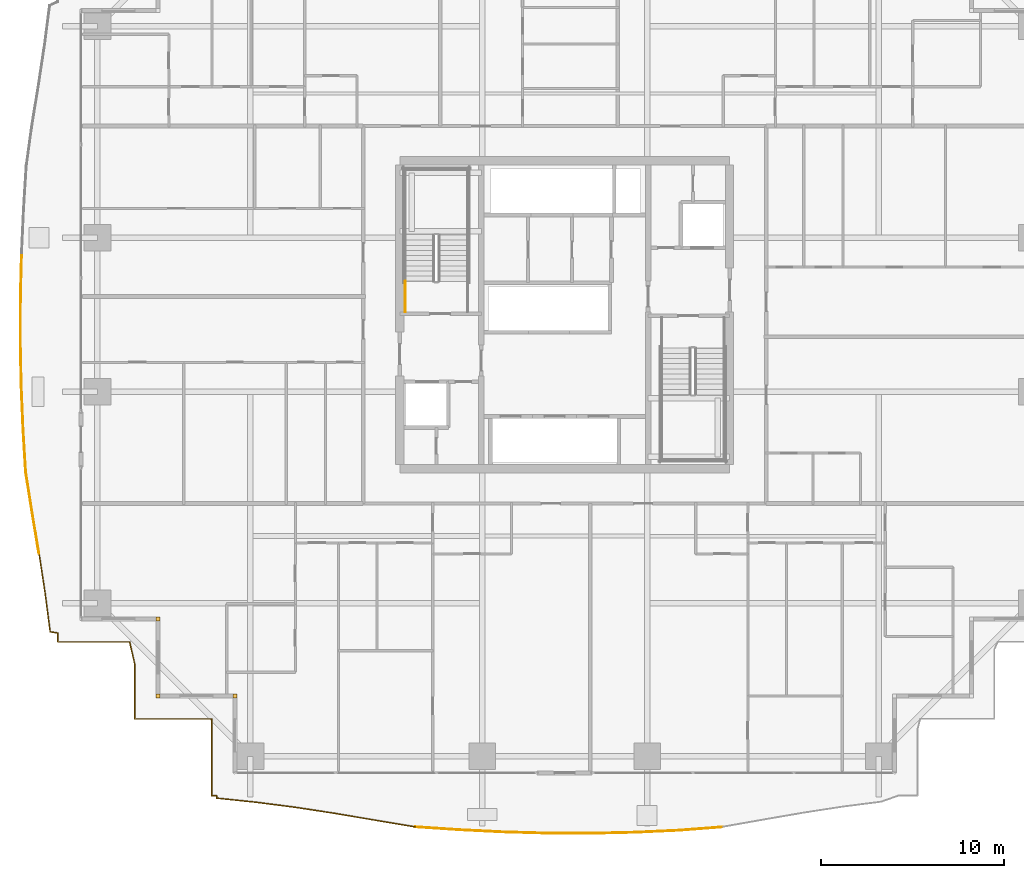
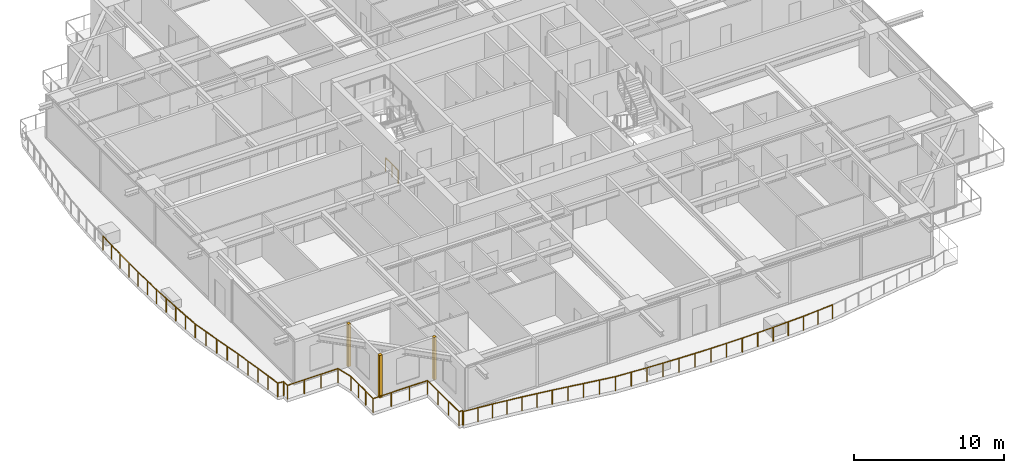
# One storey, part 33 of 39: 5 railings, 3 coverings.
"""IFC4 building model written with IfcOpenShell, lengths in metres."""

from ifc_helpers import new_model, si_unit, direction, frame, origin, origin_2d, place, context, subcontext, project, spatial, rectangle, circle, extrude, source, transform, mapped, material, layer, layer_set, type_object, element, save


model = new_model("IFC4")

# Units and contexts
model_context = context("Model", 3, precision=1e-05, world=origin(), true_north=direction((0.0, 1.0)))
body_context = subcontext(model_context, "Body", "Model", "MODEL_VIEW")
ifc_project = project(units=[si_unit("LENGTHUNIT", "METRE"), si_unit("AREAUNIT", "SQUARE_METRE"), si_unit("VOLUMEUNIT", "CUBIC_METRE"), si_unit("PLANEANGLEUNIT", "RADIAN"), si_unit("MASSUNIT", "GRAM", prefix="KILO")], contexts=[model_context])

# Site, building, storey
site_placement = place(None, origin())
site = spatial("IfcSite", under=ifc_project, at=site_placement, CompositionType="ELEMENT")
building_placement = place(site_placement, origin())
building = spatial("IfcBuilding", under=site, at=building_placement, Name="Serunith Strait Residences", CompositionType="ELEMENT")
storey_placement = place(building_placement, frame((0.0, 0.0, 60.449951171875)))
storey = spatial("IfcBuildingStorey", under=building, at=storey_placement, Name="L14", CompositionType="ELEMENT", Elevation=60.449951171875)

# Railings
ifc_material_1 = material(Name="Stainless Steel & Laminated Glass Balustrade", Category="steel")
railing_type_1 = type_object("IfcRailingType", Name="RLG-BALC-1150", PredefinedType="BALUSTRADE", material=ifc_material_1)
railing_1_placement = place(storey_placement, frame((13.139892578125, 3.139892578125, -0.050048828125)))
element("IfcRailing", 1, at=railing_1_placement, inside=storey, type_object=railing_type_1, Name="L14 Swirling Balcony Perimeter Balustrade 1", PredefinedType="BALUSTRADE", context=body_context, shape_type="SweptSolid", body=[
    extrude(circle(Radius=0.02392578125, at=origin_2d()), frame((-0.001953125, 0.0, 1.1259765625), z_axis=(-1.0, 0.0, 0.0), x_axis=(0.0, -1.0, 0.0)), (0.0, 0.0, 1.0), 4.196044921875),
    extrude(circle(Radius=0.02392578125, at=origin_2d()), frame((-4.199951171875, 0.001953125, 1.1259765625), z_axis=(0.0, 1.0, 0.0), x_axis=(-1.0, 0.0, 0.0)), (0.0, 0.0, 1.0), 2.9580078125),
    extrude(circle(Radius=0.02392578125, at=origin_2d()), frame((-4.200439453125, 2.9638671875, 1.1259765625), z_axis=(-0.225322441592, 0.974284248726, 0.0), x_axis=(-0.974284248726, -0.225322441592, 0.0)), (0.0, 0.0, 1.0), 1.266845703125),
    extrude(circle(Radius=0.02392578125, at=origin_2d()), frame((-4.48828125, 4.2001953125, 1.1259765625), z_axis=(-1.0, 0.0, 0.0), x_axis=(0.0, -1.0, 0.0)), (0.0, 0.0, 1.0), 3.90966796875),
    extrude(circle(Radius=0.02392578125, at=origin_2d()), frame((-8.39990234375, 4.2021484375, 1.1259765625), z_axis=(0.0, 1.0, 0.0), x_axis=(-1.0, 0.0, 0.0)), (0.0, 0.0, 1.0), 0.4833984375),
    extrude(circle(Radius=0.02392578125, at=origin_2d()), frame((-8.40185546875, 4.687744140625, 1.1259765625), z_axis=(-0.987358963346, 0.158500086751, 0.0), x_axis=(-0.158500086751, -0.987358963346, 0.0)), (0.0, 0.0, 1.0), 0.42578125),
    extrude(circle(Radius=0.02392578125, at=origin_2d()), frame((-8.824462890625, 4.757568359375, 1.1259765625), z_axis=(-0.13018979462, 0.991489090902, 0.0), x_axis=(-0.991489090902, -0.13018979462, 0.0)), (0.0, 0.0, 1.0), 2.14306640625),
    extrude(circle(Radius=0.02392578125, at=origin_2d()), frame((-9.10400390625, 6.886474609375, 1.1259765625), z_axis=(-0.150978205524, 0.988537091594, 0.0), x_axis=(-0.988537091594, -0.150978205524, 0.0)), (0.0, 0.0, 1.0), 2.172607421875),
    extrude(circle(Radius=0.02099609375, at=origin_2d()), origin(), (0.0, 0.0, 1.0), 1.099853515625),
    extrude(circle(Radius=0.02099609375, at=origin_2d()), frame((-1.39990234375, 0.0, 0.0)), (0.0, 0.0, 1.0), 1.099853515625),
    extrude(circle(Radius=0.02099609375, at=origin_2d()), frame((-2.800048828125, 0.0, 0.0)), (0.0, 0.0, 1.0), 1.099853515625),
    extrude(circle(Radius=0.02099609375, at=origin_2d()), frame((-4.199951171875, 0.0, 0.0)), (0.0, 0.0, 1.0), 1.099853515625),
    extrude(circle(Radius=0.02099609375, at=origin_2d()), frame((-4.199951171875, 0.9873046875, 0.0)), (0.0, 0.0, 1.0), 1.099853515625),
    extrude(circle(Radius=0.02099609375, at=origin_2d()), frame((-4.199951171875, 1.974609375, 0.0)), (0.0, 0.0, 1.0), 1.099853515625),
    extrude(circle(Radius=0.02099609375, at=origin_2d()), frame((-4.199951171875, 2.9619140625, 0.0)), (0.0, 0.0, 1.0), 1.099853515625),
    extrude(circle(Radius=0.02099609375, at=origin_2d()), frame((-4.486328125, 4.2001953125, 0.0)), (0.0, 0.0, 1.0), 1.099853515625),
    extrude(circle(Radius=0.02099609375, at=origin_2d()), frame((-5.790771484375, 4.2001953125, 0.0)), (0.0, 0.0, 1.0), 1.099853515625),
    extrude(circle(Radius=0.02099609375, at=origin_2d()), frame((-7.095458984375, 4.2001953125, 0.0)), (0.0, 0.0, 1.0), 1.099853515625),
    extrude(circle(Radius=0.02099609375, at=origin_2d()), frame((-8.39990234375, 4.2001953125, 0.0)), (0.0, 0.0, 1.0), 1.099853515625),
    extrude(circle(Radius=0.02099609375, at=origin_2d()), frame((-8.39990234375, 4.6875, 0.0)), (0.0, 0.0, 1.0), 1.099853515625),
    extrude(circle(Radius=0.02099609375, at=origin_2d()), frame((-8.82421875, 4.755615234375, 0.0)), (0.0, 0.0, 1.0), 1.099853515625),
    extrude(circle(Radius=0.02099609375, at=origin_2d()), frame((-8.9638671875, 5.820068359375, 0.0)), (0.0, 0.0, 1.0), 1.099853515625),
    extrude(circle(Radius=0.02099609375, at=origin_2d()), frame((-9.103759765625, 6.884521484375, 0.0)), (0.0, 0.0, 1.0), 1.099853515625),
    extrude(circle(Radius=0.02099609375, at=origin_2d()), frame((-9.26806640625, 7.96044921875, 0.0)), (0.0, 0.0, 1.0), 1.099853515625),
    extrude(circle(Radius=0.02099609375, at=origin_2d()), frame((-9.432373046875, 9.0361328125, 0.0)), (0.0, 0.0, 1.0), 1.099853515625),
])
railing_2_placement = place(storey_placement, frame((3.70751953125, 12.176025390625, -0.050048828125)))
element("IfcRailing", 2, at=railing_2_placement, inside=storey, type_object=railing_type_1, Name="L14 Swirling Balcony Perimeter Balustrade 2", PredefinedType="BALUSTRADE", context=body_context, shape_type="SweptSolid", body=[
    extrude(circle(Radius=0.02392578125, at=origin_2d()), frame((-0.000244140625, 0.001953125, 1.1259765625), z_axis=(-0.164042626851, 0.986453251085, 0.0), x_axis=(-0.986453251085, -0.164042626851, 0.0)), (0.0, 0.0, 1.0), 2.218017578125),
    extrude(circle(Radius=0.02392578125, at=origin_2d()), frame((-0.36474609375, 2.19384765625, 1.1259765625), z_axis=(-0.156913377413, 0.987612369297, 0.0), x_axis=(-0.987612369297, -0.156913377413, 0.0)), (0.0, 0.0, 1.0), 2.27685546875),
    extrude(circle(Radius=0.02392578125, at=origin_2d()), frame((-0.722412109375, 4.446533203125, 1.1259765625), z_axis=(-0.060710520017, 0.998155415133, 0.0), x_axis=(-0.998155415133, -0.060710520017, 0.0)), (0.0, 0.0, 1.0), 2.3564453125),
    extrude(circle(Radius=0.02392578125, at=origin_2d()), frame((-0.86572265625, 6.802734375, 1.1259765625), z_axis=(-0.041728388629, 0.999128991463, 0.0), x_axis=(-0.999128991463, -0.041728388629, 0.0)), (0.0, 0.0, 1.0), 2.383056640625),
    extrude(circle(Radius=0.02392578125, at=origin_2d()), frame((-0.96533203125, 9.187744140625, 1.1259765625), z_axis=(-0.019803124458, 0.999803898903, 0.0), x_axis=(-0.999803898903, -0.019803124458, 0.0)), (0.0, 0.0, 1.0), 2.400146484375),
    extrude(circle(Radius=0.02392578125, at=origin_2d()), frame((-1.012939453125, 11.59130859375, 1.1259765625), z_axis=(0.003242459396, 0.999994743215, 0.0), x_axis=(-0.999994743215, 0.003242459396, 0.0)), (0.0, 0.0, 1.0), 2.405517578125),
    extrude(circle(Radius=0.02392578125, at=origin_2d()), frame((-1.005126953125, 14.000732421875, 1.1259765625), z_axis=(0.025499835509, 0.999674826326, 0.0), x_axis=(-0.999674826326, 0.025499835509, 0.0)), (0.0, 0.0, 1.0), 2.399169921875),
    extrude(circle(Radius=0.02099609375, at=origin_2d()), origin(), (0.0, 0.0, 1.0), 1.099853515625),
    extrude(circle(Radius=0.02099609375, at=origin_2d()), frame((-0.18212890625, 1.095947265625, 0.0)), (0.0, 0.0, 1.0), 1.099853515625),
    extrude(circle(Radius=0.02099609375, at=origin_2d()), frame((-0.364501953125, 2.19189453125, 0.0)), (0.0, 0.0, 1.0), 1.099853515625),
    extrude(circle(Radius=0.02099609375, at=origin_2d()), frame((-0.54345703125, 3.318359375, 0.0)), (0.0, 0.0, 1.0), 1.099853515625),
    extrude(circle(Radius=0.02099609375, at=origin_2d()), frame((-0.722412109375, 4.444580078125, 0.0)), (0.0, 0.0, 1.0), 1.099853515625),
    extrude(circle(Radius=0.02099609375, at=origin_2d()), frame((-0.7939453125, 5.62255859375, 0.0)), (0.0, 0.0, 1.0), 1.099853515625),
    extrude(circle(Radius=0.02099609375, at=origin_2d()), frame((-0.86572265625, 6.80078125, 0.0)), (0.0, 0.0, 1.0), 1.099853515625),
    extrude(circle(Radius=0.02099609375, at=origin_2d()), frame((-0.91552734375, 7.9931640625, 0.0)), (0.0, 0.0, 1.0), 1.099853515625),
    extrude(circle(Radius=0.02099609375, at=origin_2d()), frame((-0.96533203125, 9.185791015625, 0.0)), (0.0, 0.0, 1.0), 1.099853515625),
    extrude(circle(Radius=0.02099609375, at=origin_2d()), frame((-0.9892578125, 10.3876953125, 0.0)), (0.0, 0.0, 1.0), 1.099853515625),
    extrude(circle(Radius=0.02099609375, at=origin_2d()), frame((-1.012939453125, 11.58935546875, 0.0)), (0.0, 0.0, 1.0), 1.099853515625),
    extrude(circle(Radius=0.02099609375, at=origin_2d()), frame((-1.009033203125, 12.7939453125, 0.0)), (0.0, 0.0, 1.0), 1.099853515625),
    extrude(circle(Radius=0.02099609375, at=origin_2d()), frame((-1.005126953125, 13.998779296875, 0.0)), (0.0, 0.0, 1.0), 1.099853515625),
    extrude(circle(Radius=0.02099609375, at=origin_2d()), frame((-0.974609375, 15.199951171875, 0.0)), (0.0, 0.0, 1.0), 1.099853515625),
    extrude(circle(Radius=0.02099609375, at=origin_2d()), frame((-0.94384765625, 16.401123046875, 0.0)), (0.0, 0.0, 1.0), 1.099853515625),
])
railing_3_placement = place(storey_placement, frame((41.0107421875, -2.757080078125, -0.050048828125)))
element("IfcRailing", 3, at=railing_3_placement, inside=storey, type_object=railing_type_1, Name="L14 Swirling Balcony Perimeter Balustrade 7", PredefinedType="BALUSTRADE", context=body_context, shape_type="SweptSolid", body=[
    extrude(circle(Radius=0.02392578125, at=origin_2d()), frame((-0.001953125, -0.000244140625, 1.1259765625), z_axis=(-0.99700501678, -0.077336902681, 0.0), x_axis=(0.077336902681, -0.99700501678, 0.0)), (0.0, 0.0, 1.0), 2.357421875),
    extrude(circle(Radius=0.02392578125, at=origin_2d()), frame((-2.356201171875, -0.1826171875, 1.1259765625), z_axis=(-0.998926559452, -0.046322012286, 0.0), x_axis=(0.046322012286, -0.998926559452, 0.0)), (0.0, 0.0, 1.0), 2.39404296875),
    extrude(circle(Radius=0.02392578125, at=origin_2d()), frame((-4.751708984375, -0.293701171875, 1.1259765625), z_axis=(-0.999751030301, -0.022313166804, 0.0), x_axis=(0.022313166804, -0.999751030301, 0.0)), (0.0, 0.0, 1.0), 2.4140625),
    extrude(circle(Radius=0.02392578125, at=origin_2d()), frame((-7.169189453125, -0.34765625, 1.1259765625), z_axis=(-0.999994808646, 0.003222216683, 0.0), x_axis=(-0.003222216683, -0.999994808646, 0.0)), (0.0, 0.0, 1.0), 2.420654296875),
    extrude(circle(Radius=0.02392578125, at=origin_2d()), frame((-9.59375, -0.33984375, 1.1259765625), z_axis=(-0.99960839991, 0.027982973904, 0.0), x_axis=(-0.027982973904, -0.99960839991, 0.0)), (0.0, 0.0, 1.0), 2.41259765625),
    extrude(circle(Radius=0.02392578125, at=origin_2d()), frame((-12.009521484375, -0.272216796875, 1.1259765625), z_axis=(-0.998763743688, 0.049708996116, 0.0), x_axis=(-0.049708996116, -0.998763743688, 0.0)), (0.0, 0.0, 1.0), 2.392822265625),
    extrude(circle(Radius=0.02392578125, at=origin_2d()), frame((-14.4033203125, -0.15283203125, 1.1259765625), z_axis=(-0.997743434954, 0.067141924349, 0.0), x_axis=(-0.067141924349, -0.997743434954, 0.0)), (0.0, 0.0, 1.0), 2.363037109375),
    extrude(circle(Radius=0.02099609375, at=origin_2d()), origin(), (0.0, 0.0, 1.0), 1.099853515625),
    extrude(circle(Radius=0.02099609375, at=origin_2d()), frame((-1.17724609375, -0.09130859375, 0.0)), (0.0, 0.0, 1.0), 1.099853515625),
    extrude(circle(Radius=0.02099609375, at=origin_2d()), frame((-2.354248046875, -0.1826171875, 0.0)), (0.0, 0.0, 1.0), 1.099853515625),
    extrude(circle(Radius=0.02099609375, at=origin_2d()), frame((-3.552001953125, -0.23828125, 0.0)), (0.0, 0.0, 1.0), 1.099853515625),
    extrude(circle(Radius=0.02099609375, at=origin_2d()), frame((-4.749755859375, -0.293701171875, 0.0)), (0.0, 0.0, 1.0), 1.099853515625),
    extrude(circle(Radius=0.02099609375, at=origin_2d()), frame((-5.95849609375, -0.32080078125, 0.0)), (0.0, 0.0, 1.0), 1.099853515625),
    extrude(circle(Radius=0.02099609375, at=origin_2d()), frame((-7.167236328125, -0.34765625, 0.0)), (0.0, 0.0, 1.0), 1.099853515625),
    extrude(circle(Radius=0.02099609375, at=origin_2d()), frame((-8.37939453125, -0.34375, 0.0)), (0.0, 0.0, 1.0), 1.099853515625),
    extrude(circle(Radius=0.02099609375, at=origin_2d()), frame((-9.591796875, -0.33984375, 0.0)), (0.0, 0.0, 1.0), 1.099853515625),
    extrude(circle(Radius=0.02099609375, at=origin_2d()), frame((-10.7998046875, -0.30615234375, 0.0)), (0.0, 0.0, 1.0), 1.099853515625),
    extrude(circle(Radius=0.02099609375, at=origin_2d()), frame((-12.007568359375, -0.272216796875, 0.0)), (0.0, 0.0, 1.0), 1.099853515625),
    extrude(circle(Radius=0.02099609375, at=origin_2d()), frame((-13.20458984375, -0.212646484375, 0.0)), (0.0, 0.0, 1.0), 1.099853515625),
    extrude(circle(Radius=0.02099609375, at=origin_2d()), frame((-14.4013671875, -0.153076171875, 0.0)), (0.0, 0.0, 1.0), 1.099853515625),
    extrude(circle(Radius=0.02099609375, at=origin_2d()), frame((-15.582275390625, -0.07373046875, 0.0)), (0.0, 0.0, 1.0), 1.099853515625),
    extrude(circle(Radius=0.02099609375, at=origin_2d()), frame((-16.76318359375, 0.005859375, 0.0)), (0.0, 0.0, 1.0), 1.099853515625),
])
railing_4_placement = place(storey_placement, frame((24.24755859375, -2.751220703125, -0.050048828125)))
element("IfcRailing", 4, at=railing_4_placement, inside=storey, type_object=railing_type_1, Name="L14 Swirling Balcony Perimeter Balustrade 8", PredefinedType="BALUSTRADE", context=body_context, shape_type="SweptSolid", body=[
    extrude(circle(Radius=0.02392578125, at=origin_2d()), frame((-0.001953125, 0.000244140625, 1.1259765625), z_axis=(-0.986483333556, 0.163861626432, 0.0), x_axis=(-0.163861626432, -0.986483333556, 0.0)), (0.0, 0.0, 1.0), 2.280029296875),
    extrude(circle(Radius=0.02392578125, at=origin_2d()), frame((-2.255126953125, 0.37451171875, 1.1259765625), z_axis=(-0.985875268607, 0.167481207152, 0.0), x_axis=(-0.167481207152, -0.985875268607, 0.0)), (0.0, 0.0, 1.0), 2.217529296875),
    extrude(circle(Radius=0.02392578125, at=origin_2d()), frame((-4.4453125, 0.74658203125, 1.1259765625), z_axis=(-0.988577071856, 0.150716200193, 0.0), x_axis=(-0.150716200193, -0.988577071856, 0.0)), (0.0, 0.0, 1.0), 2.17138671875),
    extrude(circle(Radius=0.02392578125, at=origin_2d()), frame((-6.595947265625, 1.074462890625, 1.1259765625), z_axis=(-0.991854054422, 0.127379490993, 0.0), x_axis=(-0.127379490993, -0.991854054422, 0.0)), (0.0, 0.0, 1.0), 2.142578125),
    extrude(circle(Radius=0.02392578125, at=origin_2d()), frame((-8.72509765625, 1.347900390625, 1.1259765625), z_axis=(-0.994712382559, 0.102699931763, 0.0), x_axis=(-0.102699931763, -0.994712382559, 0.0)), (0.0, 0.0, 1.0), 2.12841796875),
    extrude(circle(Radius=0.02392578125, at=origin_2d()), frame((-10.84423828125, 1.568603515625, 1.1259765625), z_axis=(0.005882251173, 0.999982699411, 0.0), x_axis=(-0.999982699411, 0.005882251173, 0.0)), (0.0, 0.0, 1.0), 0.12060546875),
    extrude(circle(Radius=0.02392578125, at=origin_2d()), frame((-10.845458984375, 1.691162109375, 1.1259765625), z_axis=(-1.0, 0.0, 0.0), x_axis=(0.0, -1.0, 0.0)), (0.0, 0.0, 1.0), 0.26025390625),
    extrude(circle(Radius=0.02392578125, at=origin_2d()), frame((-11.107666015625, 1.693115234375, 1.1259765625), z_axis=(0.0, 1.0, 0.0), x_axis=(-1.0, 0.0, 0.0)), (0.0, 0.0, 1.0), 4.196044921875),
    extrude(circle(Radius=0.02099609375, at=origin_2d()), origin(), (0.0, 0.0, 1.0), 1.099853515625),
    extrude(circle(Radius=0.02099609375, at=origin_2d()), frame((-1.12646484375, 0.18701171875, 0.0)), (0.0, 0.0, 1.0), 1.099853515625),
    extrude(circle(Radius=0.02099609375, at=origin_2d()), frame((-2.253173828125, 0.374267578125, 0.0)), (0.0, 0.0, 1.0), 1.099853515625),
    extrude(circle(Radius=0.02099609375, at=origin_2d()), frame((-3.34814453125, 0.560302734375, 0.0)), (0.0, 0.0, 1.0), 1.099853515625),
    extrude(circle(Radius=0.02099609375, at=origin_2d()), frame((-4.443359375, 0.746337890625, 0.0)), (0.0, 0.0, 1.0), 1.099853515625),
    extrude(circle(Radius=0.02099609375, at=origin_2d()), frame((-5.5185546875, 0.91015625, 0.0)), (0.0, 0.0, 1.0), 1.099853515625),
    extrude(circle(Radius=0.02099609375, at=origin_2d()), frame((-6.593994140625, 1.07421875, 0.0)), (0.0, 0.0, 1.0), 1.099853515625),
    extrude(circle(Radius=0.02099609375, at=origin_2d()), frame((-7.65869140625, 1.2109375, 0.0)), (0.0, 0.0, 1.0), 1.099853515625),
    extrude(circle(Radius=0.02099609375, at=origin_2d()), frame((-8.72314453125, 1.34765625, 0.0)), (0.0, 0.0, 1.0), 1.099853515625),
    extrude(circle(Radius=0.02099609375, at=origin_2d()), frame((-9.78369140625, 1.45703125, 0.0)), (0.0, 0.0, 1.0), 1.099853515625),
    extrude(circle(Radius=0.02099609375, at=origin_2d()), frame((-10.84423828125, 1.566650390625, 0.0)), (0.0, 0.0, 1.0), 1.099853515625),
    extrude(circle(Radius=0.02099609375, at=origin_2d()), frame((-10.843505859375, 1.691162109375, 0.0)), (0.0, 0.0, 1.0), 1.099853515625),
    extrude(circle(Radius=0.02099609375, at=origin_2d()), frame((-11.107666015625, 1.691162109375, 0.0)), (0.0, 0.0, 1.0), 1.099853515625),
    extrude(circle(Radius=0.02099609375, at=origin_2d()), frame((-11.107666015625, 3.091064453125, 0.0)), (0.0, 0.0, 1.0), 1.099853515625),
    extrude(circle(Radius=0.02099609375, at=origin_2d()), frame((-11.107666015625, 4.4912109375, 0.0)), (0.0, 0.0, 1.0), 1.099853515625),
    extrude(circle(Radius=0.02099609375, at=origin_2d()), frame((-11.107666015625, 5.89111328125, 0.0)), (0.0, 0.0, 1.0), 1.099853515625),
])
ifc_material_2 = material(Name="Brushed stainless steel 316L", Category="steel")
railing_type_2 = type_object("IfcRailingType", Name="RLG-STAIR-GUARD", PredefinedType="BALUSTRADE", material=ifc_material_2)
railing_5_placement = place(storey_placement, frame((23.699951171875, 25.35009765625, 0.0)))
element("IfcRailing", 5, at=railing_5_placement, inside=storey, type_object=railing_type_2, Name="L14 ST-1 stair guard 9", PredefinedType="BALUSTRADE", context=body_context, shape_type="SweptSolid", body=[
    extrude(circle(Radius=0.02392578125, at=origin_2d()), frame((0.0, 0.001953125, 1.076171875), z_axis=(0.0, 1.0, 0.0), x_axis=(-1.0, 0.0, 0.0)), (0.0, 0.0, 1.0), 1.676025390625),
    extrude(circle(Radius=0.02099609375, at=origin_2d()), origin(), (0.0, 0.0, 1.0), 1.050048828125),
    extrude(circle(Radius=0.02099609375, at=origin_2d()), frame((0.0, 0.83984375, 0.0)), (0.0, 0.0, 1.0), 1.050048828125),
    extrude(circle(Radius=0.02099609375, at=origin_2d()), frame((0.0, 1.679931640625, 0.0)), (0.0, 0.0, 1.0), 1.050048828125),
])

# Coverings
ifc_material_3 = material(Name="Pale-Champagne Anodised Aluminium", Category="aluminium")
ifc_layer = layer(ifc_material_3, 0.219970703125, Name="Pale-Champagne Anodised Aluminium")
ifc_layer_set = layer_set([ifc_layer], Name="Pale-Champagne Anodised Aluminium")
covering_type = type_object("IfcCoveringType", Name="COV-CORN-TRIM", PredefinedType="CLADDING", material=ifc_layer_set)
shared_shape = source(origin(), body_context, "Body", "SweptSolid", [
    extrude(rectangle(XDim=0.221923828125, YDim=0.221923828125, at=origin_2d()), origin(), (0.0, 0.0, 1.0), 3.47509765625),
])
for number, where, z_axis, x_axis, name in (
    (6, (10.199951171875, 8.60009765625, 0.0), (0.0, 0.0, 1.0), (1.0, 0.0, 0.0), "L14 Girih Serrated Corner Trim Post 17"),
    (7, (10.199951171875, 4.39990234375, 0.0), (0.0, 0.0, 1.0), (1.0, 0.0, 0.0), "L14 Girih Serrated Corner Trim Post 18"),
    (8, (14.39990234375, 4.39990234375, 0.0), (0.0, 0.0, 1.0), (1.0, 0.0, 0.0), "L14 Girih Serrated Corner Trim Post 19"),
):
    element("IfcCovering", number, at=place(storey_placement, frame(where, z_axis=z_axis, x_axis=x_axis)), inside=storey, type_object=covering_type, Name=name, PredefinedType="CLADDING", context=body_context, shape_type="MappedRepresentation", body=[
        mapped(shared_shape, transform((0.0, 0.0, 0.0), scale=1.0)),
    ])

save(model, "model.ifc")
